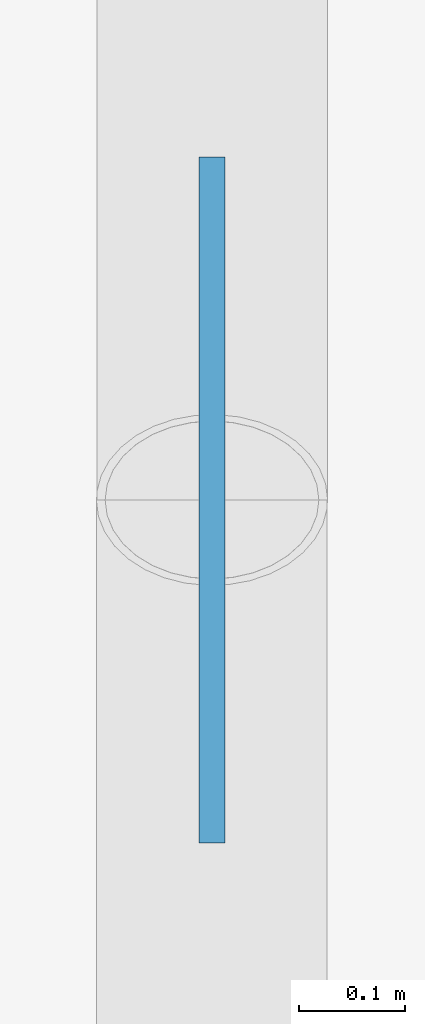
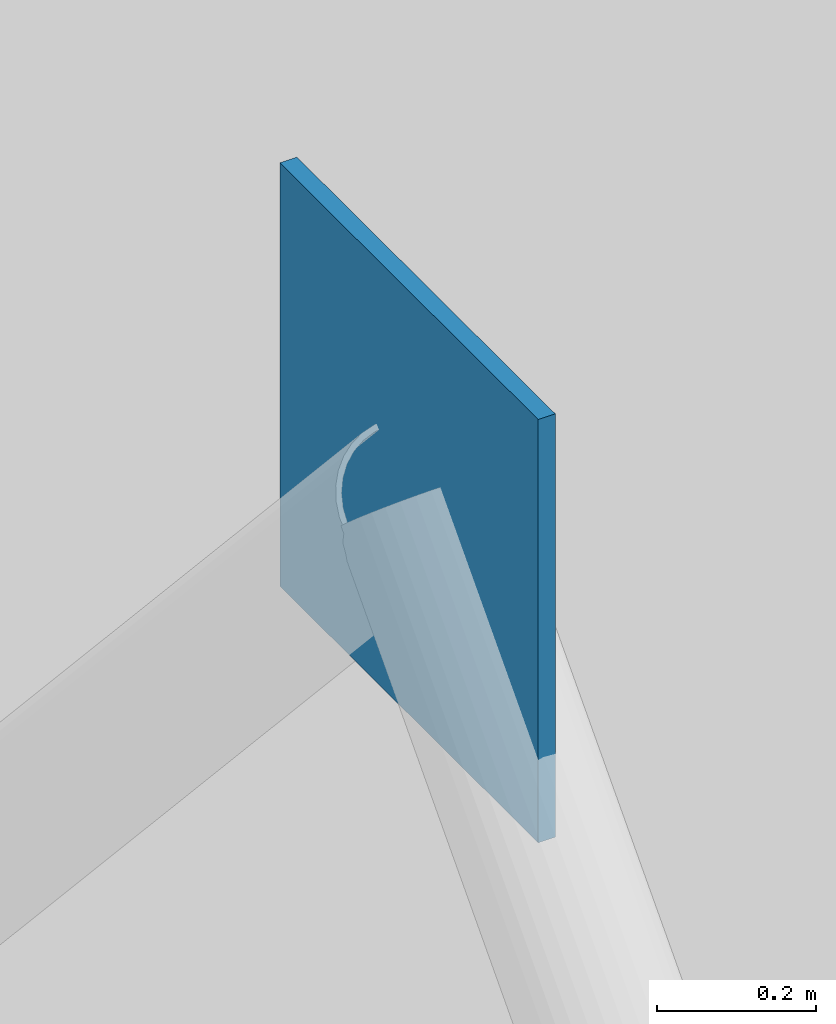
# One storey, part 78 of 103: 1 plate.
"""IFC4 building model written with IfcOpenShell, lengths in metres."""

from ifc_helpers import new_model, si_unit, direction, frame, origin, origin_2d, place, context, subcontext, project, spatial, rectangle, extrude, material, layer, layer_set, type_object, element, save


model = new_model("IFC4")

# Units and contexts
model_context = context("Model", 3, precision=1e-05, world=origin(), true_north=direction((0.0, 1.0)))
body_context = subcontext(model_context, "Body", "Model", "MODEL_VIEW")
ifc_project = project(units=[si_unit("LENGTHUNIT", "METRE"), si_unit("AREAUNIT", "SQUARE_METRE"), si_unit("VOLUMEUNIT", "CUBIC_METRE"), si_unit("PLANEANGLEUNIT", "RADIAN"), si_unit("MASSUNIT", "GRAM", prefix="KILO")], contexts=[model_context])

# Site, building, storey
site_placement = place(None, origin())
site = spatial("IfcSite", under=ifc_project, at=site_placement, CompositionType="ELEMENT")
building_placement = place(site_placement, origin())
building = spatial("IfcBuilding", under=site, at=building_placement, Name="Marnock Terrace Opera House", CompositionType="ELEMENT")
storey_placement = place(building_placement, origin())
storey = spatial("IfcBuildingStorey", under=building, at=storey_placement, Name="L00", CompositionType="ELEMENT", Elevation=0.0)

# Plate
ifc_material = material(Name="Steel Grade 350 (AS/NZS 3679.1)", Category="steel")
ifc_layer = layer(ifc_material, 0.02490234375)
ifc_layer_set = layer_set([ifc_layer], Name="Steel Grade 350 (AS/NZS 3679.1)")
plate_type = type_object("IfcPlateType", Name="PLT-GUSSET-25", PredefinedType="SHEET", material=ifc_layer_set)
plate_placement = place(storey_placement, frame((0.0, 52.5, 4.43505859375), z_axis=(0.0, 0.0, 1.0), x_axis=(0.0, 1.0, 0.0)))
element("IfcPlate", 1, at=plate_placement, inside=storey, type_object=plate_type, Name="L00 chevron brace gusset plate BN-1", PredefinedType="SHEET", context=body_context, shape_type="SweptSolid", body=[
    extrude(rectangle(XDim=0.64990234375, YDim=0.02490234375, at=origin_2d()), origin(), (0.0, 0.0, 1.0), 0.64990234375),
])

save(model, "model.ifc")
